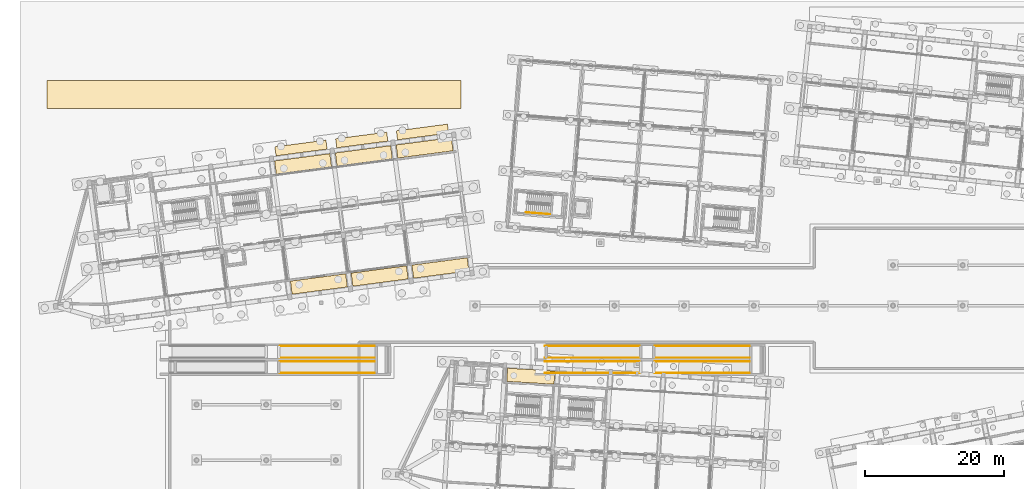
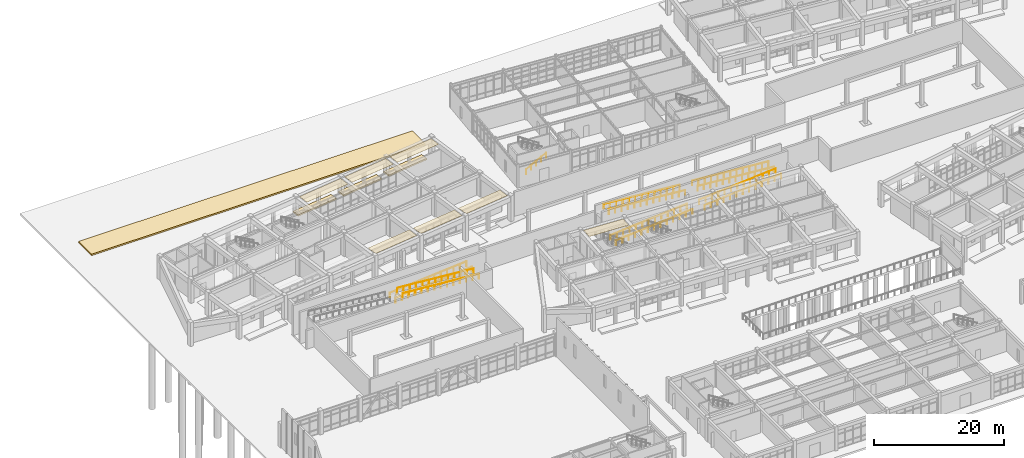
# One storey, part 147 of 154: 13 railings, 11 coverings.
"""IFC4 building model written with IfcOpenShell, lengths in metres."""

import ifcopenshell
import ifcopenshell.guid

model = None  # the IFC model being written
_history = None  # IfcOwnerHistory: only IFC2X3 demands one
_inside = {}  # id of a spatial element -> (the spatial element, [elements in it])
_under = {}  # id of a project, library or spatial element -> (it, [spatial elements below it])
_declared = {}  # id of a project -> (the project, [libraries it declares])
_typed = {}  # id of a type object -> (the type object, [elements of that type])
_made_of = {}  # id of a material, layer set ... -> (it, [elements and type objects made of it])


def new_model(schema):
    """Start an empty IFC model of exactly this schema.

    Asked for "IFC4X3", IfcOpenShell would pick the latest addendum, in which some entities
    have other attributes; the version numbers below select the first issue.
    IFC2X3 requires an IfcOwnerHistory on every rooted entity: one is made here for all.
    """
    global model, _history
    if schema == "IFC4X3":
        model = ifcopenshell.file(schema_version=(4, 3, 0, 0))
    else:
        model = ifcopenshell.file(schema=schema)
    _inside.clear()
    _under.clear()
    _declared.clear()
    _typed.clear()
    _made_of.clear()
    _history = None
    if model.schema == "IFC2X3":
        org = make("IfcOrganization", Name="unknown")
        user = make(
            "IfcPersonAndOrganization",
            ThePerson=make("IfcPerson", FamilyName="unknown"),
            TheOrganization=org,
        )
        app = make(
            "IfcApplication",
            ApplicationDeveloper=org,
            Version="unknown",
            ApplicationFullName="unknown",
            ApplicationIdentifier="unknown",
        )
        _history = make(
            "IfcOwnerHistory",
            OwningUser=user,
            OwningApplication=app,
            ChangeAction="ADDED",
            CreationDate=0,
        )
    return model


def make(cls, **values):
    """One entity of the class cls with the attributes given. An attribute that is None is left unset."""
    return model.create_entity(
        cls, **{name: value for name, value in values.items() if value is not None}
    )


def rooted(cls, **values):
    """An entity with a GlobalId (a new one), such as an element, a storey or a relation."""
    return make(cls, GlobalId=ifcopenshell.guid.new(), OwnerHistory=_history, **values)


def si_unit(unit_type, name, prefix=None):
    """IfcSIUnit, for example si_unit("LENGTHUNIT", "METRE", prefix="MILLI")."""
    return make("IfcSIUnit", UnitType=unit_type, Prefix=prefix, Name=name)


def assignment(units):
    """IfcUnitAssignment: the units of a project."""
    return None if units is None else make("IfcUnitAssignment", Units=units)


def point(xyz):
    """IfcCartesianPoint."""
    return None if xyz is None else make("IfcCartesianPoint", Coordinates=xyz)


def direction(xyz):
    """IfcDirection."""
    return None if xyz is None else make("IfcDirection", DirectionRatios=xyz)


def frame(location, z_axis=None, x_axis=None):
    """IfcAxis2Placement3D, a coordinate frame: its origin and axes. An axis left out is left unset."""
    return make(
        "IfcAxis2Placement3D",
        Location=point(location),
        Axis=direction(z_axis),
        RefDirection=direction(x_axis),
    )


def frame_2d(location, x_axis=None):
    """IfcAxis2Placement2D, a coordinate frame in the plane: its origin and x axis."""
    return make(
        "IfcAxis2Placement2D", Location=point(location), RefDirection=direction(x_axis)
    )


def origin():
    """The frame at (0, 0, 0) with its axes left unset."""
    return frame((0.0, 0.0, 0.0))


def origin_2d():
    """The frame at (0, 0) in the plane with its x axis left unset."""
    return frame_2d((0.0, 0.0))


def place(relative_to, where):
    """IfcLocalPlacement: puts the frame where relative to a parent placement (None: the world)."""
    return make(
        "IfcLocalPlacement", PlacementRelTo=relative_to, RelativePlacement=where
    )


def context(
    kind, dimensions, precision=None, world=None, true_north=None, identifier=None
):
    """IfcGeometricRepresentationContext, for example the 3D "Model" context."""
    return make(
        "IfcGeometricRepresentationContext",
        ContextIdentifier=identifier,
        ContextType=kind,
        CoordinateSpaceDimension=dimensions,
        Precision=precision,
        WorldCoordinateSystem=world,
        TrueNorth=true_north,
    )


def subcontext(parent, identifier, kind, view, scale=None):
    """IfcGeometricRepresentationSubContext, for example "Body" below "Model"."""
    return make(
        "IfcGeometricRepresentationSubContext",
        ContextIdentifier=identifier,
        ContextType=kind,
        ParentContext=parent,
        TargetScale=scale,
        TargetView=view,
    )


def project(units=None, contexts=None):
    """IfcProject with its units and contexts."""
    return rooted(
        "IfcProject",
        Name="project",
        RepresentationContexts=contexts,
        UnitsInContext=assignment(units),
    )


def spatial(cls, under=None, at=None, **own):
    """A site, building, storey or space (cls), placed at a placement, below another one or the project."""
    s = rooted(cls, ObjectPlacement=at, **own)
    if under is not None:
        _under.setdefault(under.id(), (under, []))[1].append(s)
    return s


def polyline(points):
    """IfcPolyline through the points."""
    return make("IfcPolyline", Points=[point(p) for p in points])


def profile(cls, at=None, kind="AREA", **sizes):
    """A parametric profile (cls). Its sizes go by their IFC names, for example OverallWidth=200.0."""
    return make(cls, ProfileType=kind, Position=at, **sizes)


def rectangle(**sizes):
    """IfcRectangleProfileDef."""
    return profile("IfcRectangleProfileDef", **sizes)


def circle(**sizes):
    """IfcCircleProfileDef."""
    return profile("IfcCircleProfileDef", **sizes)


def outline(outer, holes=None, kind="AREA"):
    """IfcArbitraryClosedProfileDef: a profile drawn as a closed curve; with holes, ...WithVoids."""
    if holes is None:
        return make("IfcArbitraryClosedProfileDef", ProfileType=kind, OuterCurve=outer)
    return make(
        "IfcArbitraryProfileDefWithVoids",
        ProfileType=kind,
        OuterCurve=outer,
        InnerCurves=holes,
    )


def extrude(swept, where, along, depth):
    """IfcExtrudedAreaSolid: the profile swept, set in the frame where, extruded along a direction by depth."""
    return make(
        "IfcExtrudedAreaSolid",
        SweptArea=swept,
        Position=where,
        ExtrudedDirection=direction(along),
        Depth=depth,
    )


def shape(context_of_items, identifier, shape_type, items):
    """IfcShapeRepresentation: the items that make up one representation, for example the "Body"."""
    return make(
        "IfcShapeRepresentation",
        ContextOfItems=context_of_items,
        RepresentationIdentifier=identifier,
        RepresentationType=shape_type,
        Items=items,
    )


def material(Name=None, Category=None):
    """IfcMaterial."""
    return make("IfcMaterial", Name=Name, Category=Category)


def layer(
    of_material, thickness, ventilated=None, Name=None, Category=None, Priority=None
):
    """IfcMaterialLayer: one layer of a wall or slab, of a material (None: an air gap)."""
    return make(
        "IfcMaterialLayer",
        Material=of_material,
        LayerThickness=thickness,
        IsVentilated=ventilated,
        Name=Name,
        Category=Category,
        Priority=Priority,
    )


def layer_set(layers, Name=None):
    """IfcMaterialLayerSet."""
    return make("IfcMaterialLayerSet", MaterialLayers=layers, LayerSetName=Name)


def made_of(thing, what):
    """Note that an element or type object is made of a material, layer set ...; save() writes the relation."""
    if what is not None:
        _made_of.setdefault(what.id(), (what, []))[1].append(thing)
    return thing


def type_object(cls, material=None, **own):
    """A type object (cls), such as IfcWallType, which elements share."""
    return made_of(rooted(cls, **own), material)


def element(
    cls,
    number,
    at=None,
    inside=None,
    cuts=None,
    type_object=None,
    material=None,
    context=None,
    identifier="Body",
    shape_type=None,
    held_by="IfcProductDefinitionShape",
    body=None,
    shapes=None,
    **own,
):
    """One element of the class cls, such as IfcWall. Its Tag is "e" and its number.

    at: its placement. inside: the storey or other place that contains it. cuts: it is an
    opening in that element (IfcRelVoidsElement). A single representation is given by context,
    identifier, shape_type and body (its items); several are given by shapes. held_by: the class
    of the entity that holds the representations. save() writes the other relations.
    """
    e = rooted(cls, Tag="e%d" % number, ObjectPlacement=at, **own)
    if body is not None:
        shapes = [shape(context, identifier, shape_type, body)]
    if shapes is not None:
        e.Representation = make(held_by, Representations=shapes)
    if inside is not None:
        _inside.setdefault(inside.id(), (inside, []))[1].append(e)
    if cuts is not None:
        rooted(
            "IfcRelVoidsElement", RelatingBuildingElement=cuts, RelatedOpeningElement=e
        )
    if type_object is not None:
        _typed.setdefault(type_object.id(), (type_object, []))[1].append(e)
    return made_of(e, material)


def aggregate(whole, parts):
    """IfcRelAggregates: a whole, such as a stair, and the parts it consists of."""
    return rooted("IfcRelAggregates", RelatingObject=whole, RelatedObjects=parts)


def save(model, path):
    """Write the relations noted so far, then the file.

    IfcRelAggregates (storeys below a building ...), IfcRelContainedInSpatialStructure (elements
    in a storey), IfcRelDefinesByType, IfcRelAssociatesMaterial and IfcRelDeclares: one each for
    every whole, place, type object, material and project.
    """
    for whole, parts in _under.values():
        aggregate(whole, parts)
    for where, things in _inside.values():
        rooted(
            "IfcRelContainedInSpatialStructure",
            RelatedElements=things,
            RelatingStructure=where,
        )
    for kind, things in _typed.values():
        rooted("IfcRelDefinesByType", RelatedObjects=things, RelatingType=kind)
    for what, things in _made_of.values():
        rooted("IfcRelAssociatesMaterial", RelatedObjects=things, RelatingMaterial=what)
    for by, libraries in _declared.values():
        rooted("IfcRelDeclares", RelatingContext=by, RelatedDefinitions=libraries)
    model.write(path)


model = new_model("IFC4")

# Units and contexts
model_context = context("Model", 3, precision=1e-05, world=origin(), true_north=direction((0.0, 1.0)))
body_context = subcontext(model_context, "Body", "Model", "MODEL_VIEW")
ifc_project = project(units=[si_unit("LENGTHUNIT", "METRE"), si_unit("AREAUNIT", "SQUARE_METRE"), si_unit("VOLUMEUNIT", "CUBIC_METRE"), si_unit("PLANEANGLEUNIT", "RADIAN"), si_unit("MASSUNIT", "GRAM", prefix="KILO")], contexts=[model_context])

# Site, building, storey
site_placement = place(None, origin())
site = spatial("IfcSite", under=ifc_project, at=site_placement, CompositionType="ELEMENT")
building_placement = place(site_placement, origin())
building = spatial("IfcBuilding", under=site, at=building_placement, Name="Kestramere Prow Commons", CompositionType="ELEMENT")
storey_placement = place(building_placement, origin())
storey = spatial("IfcBuildingStorey", under=building, at=storey_placement, Name="L00", CompositionType="ELEMENT", Elevation=0.0)

# Coverings
ifc_material_1 = material(Name="Planted Tropical Rain-Garden Soil and Foliage")
ifc_layer_1 = layer(ifc_material_1, 0.280029296875)
ifc_layer_set_1 = layer_set([ifc_layer_1], Name="Planted Tropical Rain-Garden Soil and Foliage")
covering_type_1 = type_object("IfcCoveringType", Name="COV-PLANT-STRIP", PredefinedType="USERDEFINED", material=ifc_layer_set_1)
covering_1_placement = place(storey_placement, origin())
element("IfcCovering", 1, at=covering_1_placement, inside=storey, type_object=covering_type_1, Name="Street Setback Planted Landscape Strip PLST-A-N-3", ObjectType="PLANTED STRIP", PredefinedType="USERDEFINED", context=body_context, shape_type="SweptSolid", body=[
    extrude(outline(polyline([(35.2421875, 97.001953125), (42.5791015625, 97.968017578125), (42.74853515625, 96.67919921875), (35.411865234375, 95.713134765625), (35.2421875, 97.001953125)])), origin(), (0.0, 0.0, 1.0), 0.280029296875),
])
covering_2_placement = place(storey_placement, origin())
element("IfcCovering", 2, at=covering_2_placement, inside=storey, type_object=covering_type_1, Name="Street Setback Planted Landscape Strip PLST-A-N-4", ObjectType="PLANTED STRIP", PredefinedType="USERDEFINED", context=body_context, shape_type="SweptSolid", body=[
    extrude(outline(polyline([(43.967041015625, 98.150634765625), (51.3037109375, 99.11669921875), (51.473388671875, 97.82763671875), (44.13671875, 96.86181640625), (43.967041015625, 98.150634765625)])), origin(), (0.0, 0.0, 1.0), 0.280029296875),
])
covering_3_placement = place(storey_placement, origin())
element("IfcCovering", 3, at=covering_3_placement, inside=storey, type_object=covering_type_1, Name="Street Setback Planted Landscape Strip PLST-A-N-5", ObjectType="PLANTED STRIP", PredefinedType="USERDEFINED", context=body_context, shape_type="SweptSolid", body=[
    extrude(outline(polyline([(52.691650390625, 99.29931640625), (60.0283203125, 100.26513671875), (60.197998046875, 98.976318359375), (52.861328125, 98.010498046875), (52.691650390625, 99.29931640625)])), origin(), (0.0, 0.0, 1.0), 0.280029296875),
])
covering_4_placement = place(storey_placement, origin())
element("IfcCovering", 4, at=covering_4_placement, inside=storey, type_object=covering_type_1, Name="Street Setback Planted Landscape Strip PLST-ST-NW", ObjectType="PLANTED STRIP", PredefinedType="USERDEFINED", context=body_context, shape_type="SweptSolid", body=[
    extrude(outline(polyline([(2.5, 102.5), (2.5, 106.5), (62.0, 106.5), (62.0, 102.5), (2.5, 102.5)])), origin(), (0.0, 0.0, 1.0), 0.280029296875),
])
ifc_material_2 = material(Name="Perforated Aluminium Colonnade Soffit Cladding", Category="aluminium")
ifc_layer_2 = layer(ifc_material_2, 0.030029296875)
ifc_layer_set_2 = layer_set([ifc_layer_2], Name="Perforated Aluminium Colonnade Soffit Cladding")
covering_type_2 = type_object("IfcCoveringType", Name="COV-SOFFIT-ALU", PredefinedType="CLADDING", material=ifc_layer_set_2)
for number, where, z_axis, x_axis, name in (
    (5, (41.56689453125, 77.30908203125, 4.22021484375), (0.0, 0.0, 1.0), (0.991444861374, 0.13052619222, 0.0), "Block A South Colonnade Soffit Panel 4"),
    (6, (39.295654296875, 94.560302734375, 4.22021484375), (0.0, 0.0, 1.0), (0.991444861374, 0.13052619222, 0.0), "Block A North Colonnade Soffit Panel 4"),
    (7, (50.29150390625, 78.457763671875, 4.22021484375), (0.0, 0.0, 1.0), (0.991444861374, 0.13052619222, 0.0), "Block A South Colonnade Soffit Panel 5"),
    (8, (48.020263671875, 95.708740234375, 4.22021484375), (0.0, 0.0, 1.0), (0.991444861374, 0.13052619222, 0.0), "Block A North Colonnade Soffit Panel 5"),
    (9, (59.016357421875, 79.6064453125, 4.22021484375), (0.0, 0.0, 1.0), (0.991444861374, 0.13052619222, 0.0), "Block A South Colonnade Soffit Panel 6"),
    (10, (56.7451171875, 96.857421875, 4.22021484375), (0.0, 0.0, 1.0), (0.991444861374, 0.13052619222, 0.0), "Block A North Colonnade Soffit Panel 6"),
):
    element("IfcCovering", number, at=place(storey_placement, frame(where, z_axis=z_axis, x_axis=x_axis)), inside=storey, type_object=covering_type_2, Name=name, PredefinedType="CLADDING", context=body_context, shape_type="SweptSolid", body=[
        extrude(rectangle(XDim=8.0, YDim=1.89990234375, at=origin_2d()), origin(), (0.0, 0.0, 1.0), 0.030029296875),
    ])
covering_5_placement = place(storey_placement, frame((71.995849609375, 64.06982421875, 4.22021484375), z_axis=(0.0, 0.0, 1.0), x_axis=(0.998134798422, -0.061048539535, 0.0)))
element("IfcCovering", 11, at=covering_5_placement, inside=storey, type_object=covering_type_2, Name="Block C North Colonnade Soffit Panel 2", PredefinedType="CLADDING", context=body_context, shape_type="SweptSolid", body=[
    extrude(rectangle(XDim=6.800048828125, YDim=1.89990234375, at=origin_2d()), origin(), (0.0, 0.0, 1.0), 0.030029296875),
])

# Railings
ifc_material_3 = material(Name="Stainless Steel Grade 316", Category="steel")
railing_type_1 = type_object("IfcRailingType", Name="HR-EXT-900", PredefinedType="HANDRAIL", material=ifc_material_3)
railing_1_placement = place(storey_placement, frame((36.0, 66.7099609375, 1.125)))
element("IfcRailing", 12, at=railing_1_placement, inside=storey, type_object=railing_type_1, Name="Ramp R2 Upper Handrail L", PredefinedType="HANDRAIL", context=body_context, shape_type="SweptSolid", body=[
    extrude(circle(Radius=0.02392578125, at=origin_2d()), frame((0.0, 0.0, 0.8759765625), z_axis=(0.99659615968, 0.0, 0.082438428604), x_axis=(0.0, 1.0, 0.0)), (0.0, 0.0, 1.0), 13.646484375),
    extrude(circle(Radius=0.02099609375, at=origin_2d()), origin(), (0.0, 0.0, 1.0), 0.851806640625),
    extrude(circle(Radius=0.02099609375, at=origin_2d()), frame((1.13330078125, 0.0, 0.09375)), (0.0, 0.0, 1.0), 0.851806640625),
    extrude(circle(Radius=0.02099609375, at=origin_2d()), frame((2.2666015625, 0.0, 0.1875)), (0.0, 0.0, 1.0), 0.851806640625),
    extrude(circle(Radius=0.02099609375, at=origin_2d()), frame((3.39990234375, 0.0, 0.28125)), (0.0, 0.0, 1.0), 0.851806640625),
    extrude(circle(Radius=0.02099609375, at=origin_2d()), frame((4.533447265625, 0.0, 0.375)), (0.0, 0.0, 1.0), 0.851806640625),
    extrude(circle(Radius=0.02099609375, at=origin_2d()), frame((5.666748046875, 0.0, 0.46875)), (0.0, 0.0, 1.0), 0.851806640625),
    extrude(circle(Radius=0.02099609375, at=origin_2d()), frame((6.800048828125, 0.0, 0.5625)), (0.0, 0.0, 1.0), 0.851806640625),
    extrude(circle(Radius=0.02099609375, at=origin_2d()), frame((7.933349609375, 0.0, 0.65625)), (0.0, 0.0, 1.0), 0.851806640625),
    extrude(circle(Radius=0.02099609375, at=origin_2d()), frame((9.066650390625, 0.0, 0.75)), (0.0, 0.0, 1.0), 0.851806640625),
    extrude(circle(Radius=0.02099609375, at=origin_2d()), frame((10.2001953125, 0.0, 0.84375)), (0.0, 0.0, 1.0), 0.851806640625),
    extrude(circle(Radius=0.02099609375, at=origin_2d()), frame((11.33349609375, 0.0, 0.9375)), (0.0, 0.0, 1.0), 0.851806640625),
    extrude(circle(Radius=0.02099609375, at=origin_2d()), frame((12.466796875, 0.0, 1.03125)), (0.0, 0.0, 1.0), 0.851806640625),
    extrude(circle(Radius=0.02099609375, at=origin_2d()), frame((13.60009765625, 0.0, 1.125)), (0.0, 0.0, 1.0), 0.851806640625),
])
railing_2_placement = place(storey_placement, frame((49.60009765625, 64.510009765625, 2.25)))
element("IfcRailing", 13, at=railing_2_placement, inside=storey, type_object=railing_type_1, Name="Ramp R3 Lower Handrail L", PredefinedType="HANDRAIL", context=body_context, shape_type="SweptSolid", body=[
    extrude(circle(Radius=0.02392578125, at=origin_2d()), frame((0.0, 0.0, 0.8759765625), z_axis=(-0.99659615968, 0.0, 0.082438428604), x_axis=(0.0, -1.0, 0.0)), (0.0, 0.0, 1.0), 13.646484375),
    extrude(circle(Radius=0.02099609375, at=origin_2d()), origin(), (0.0, 0.0, 1.0), 0.851806640625),
    extrude(circle(Radius=0.02099609375, at=origin_2d()), frame((-1.13330078125, 0.0, 0.09375)), (0.0, 0.0, 1.0), 0.851806640625),
    extrude(circle(Radius=0.02099609375, at=origin_2d()), frame((-2.2666015625, 0.0, 0.1875)), (0.0, 0.0, 1.0), 0.851806640625),
    extrude(circle(Radius=0.02099609375, at=origin_2d()), frame((-3.39990234375, 0.0, 0.28125)), (0.0, 0.0, 1.0), 0.851806640625),
    extrude(circle(Radius=0.02099609375, at=origin_2d()), frame((-4.533447265625, 0.0, 0.375)), (0.0, 0.0, 1.0), 0.851806640625),
    extrude(circle(Radius=0.02099609375, at=origin_2d()), frame((-5.666748046875, 0.0, 0.46875)), (0.0, 0.0, 1.0), 0.851806640625),
    extrude(circle(Radius=0.02099609375, at=origin_2d()), frame((-6.800048828125, 0.0, 0.5625)), (0.0, 0.0, 1.0), 0.851806640625),
    extrude(circle(Radius=0.02099609375, at=origin_2d()), frame((-7.933349609375, 0.0, 0.65625)), (0.0, 0.0, 1.0), 0.851806640625),
    extrude(circle(Radius=0.02099609375, at=origin_2d()), frame((-9.066650390625, 0.0, 0.75)), (0.0, 0.0, 1.0), 0.851806640625),
    extrude(circle(Radius=0.02099609375, at=origin_2d()), frame((-10.2001953125, 0.0, 0.84375)), (0.0, 0.0, 1.0), 0.851806640625),
    extrude(circle(Radius=0.02099609375, at=origin_2d()), frame((-11.33349609375, 0.0, 0.9375)), (0.0, 0.0, 1.0), 0.851806640625),
    extrude(circle(Radius=0.02099609375, at=origin_2d()), frame((-12.466796875, 0.0, 1.03125)), (0.0, 0.0, 1.0), 0.851806640625),
    extrude(circle(Radius=0.02099609375, at=origin_2d()), frame((-13.60009765625, 0.0, 1.125)), (0.0, 0.0, 1.0), 0.851806640625),
])
railing_3_placement = place(storey_placement, frame((36.0, 68.389892578125, 1.125)))
element("IfcRailing", 14, at=railing_3_placement, inside=storey, type_object=railing_type_1, Name="Ramp R2 Upper Handrail R", PredefinedType="HANDRAIL", context=body_context, shape_type="SweptSolid", body=[
    extrude(circle(Radius=0.02392578125, at=origin_2d()), frame((0.0, 0.0, 0.8759765625), z_axis=(0.99659615968, 0.0, 0.082438428604), x_axis=(0.0, 1.0, 0.0)), (0.0, 0.0, 1.0), 13.646484375),
    extrude(circle(Radius=0.02099609375, at=origin_2d()), origin(), (0.0, 0.0, 1.0), 0.851806640625),
    extrude(circle(Radius=0.02099609375, at=origin_2d()), frame((1.13330078125, 0.0, 0.09375)), (0.0, 0.0, 1.0), 0.851806640625),
    extrude(circle(Radius=0.02099609375, at=origin_2d()), frame((2.2666015625, 0.0, 0.1875)), (0.0, 0.0, 1.0), 0.851806640625),
    extrude(circle(Radius=0.02099609375, at=origin_2d()), frame((3.39990234375, 0.0, 0.28125)), (0.0, 0.0, 1.0), 0.851806640625),
    extrude(circle(Radius=0.02099609375, at=origin_2d()), frame((4.533447265625, 0.0, 0.375)), (0.0, 0.0, 1.0), 0.851806640625),
    extrude(circle(Radius=0.02099609375, at=origin_2d()), frame((5.666748046875, 0.0, 0.46875)), (0.0, 0.0, 1.0), 0.851806640625),
    extrude(circle(Radius=0.02099609375, at=origin_2d()), frame((6.800048828125, 0.0, 0.5625)), (0.0, 0.0, 1.0), 0.851806640625),
    extrude(circle(Radius=0.02099609375, at=origin_2d()), frame((7.933349609375, 0.0, 0.65625)), (0.0, 0.0, 1.0), 0.851806640625),
    extrude(circle(Radius=0.02099609375, at=origin_2d()), frame((9.066650390625, 0.0, 0.75)), (0.0, 0.0, 1.0), 0.851806640625),
    extrude(circle(Radius=0.02099609375, at=origin_2d()), frame((10.2001953125, 0.0, 0.84375)), (0.0, 0.0, 1.0), 0.851806640625),
    extrude(circle(Radius=0.02099609375, at=origin_2d()), frame((11.33349609375, 0.0, 0.9375)), (0.0, 0.0, 1.0), 0.851806640625),
    extrude(circle(Radius=0.02099609375, at=origin_2d()), frame((12.466796875, 0.0, 1.03125)), (0.0, 0.0, 1.0), 0.851806640625),
    extrude(circle(Radius=0.02099609375, at=origin_2d()), frame((13.60009765625, 0.0, 1.125)), (0.0, 0.0, 1.0), 0.851806640625),
])
railing_4_placement = place(storey_placement, frame((49.60009765625, 66.18994140625, 2.25)))
element("IfcRailing", 15, at=railing_4_placement, inside=storey, type_object=railing_type_1, Name="Ramp R3 Lower Handrail R", PredefinedType="HANDRAIL", context=body_context, shape_type="SweptSolid", body=[
    extrude(circle(Radius=0.02392578125, at=origin_2d()), frame((0.0, 0.0, 0.8759765625), z_axis=(-0.99659615968, 0.0, 0.082438428604), x_axis=(0.0, -1.0, 0.0)), (0.0, 0.0, 1.0), 13.646484375),
    extrude(circle(Radius=0.02099609375, at=origin_2d()), origin(), (0.0, 0.0, 1.0), 0.851806640625),
    extrude(circle(Radius=0.02099609375, at=origin_2d()), frame((-1.13330078125, 0.0, 0.09375)), (0.0, 0.0, 1.0), 0.851806640625),
    extrude(circle(Radius=0.02099609375, at=origin_2d()), frame((-2.2666015625, 0.0, 0.1875)), (0.0, 0.0, 1.0), 0.851806640625),
    extrude(circle(Radius=0.02099609375, at=origin_2d()), frame((-3.39990234375, 0.0, 0.28125)), (0.0, 0.0, 1.0), 0.851806640625),
    extrude(circle(Radius=0.02099609375, at=origin_2d()), frame((-4.533447265625, 0.0, 0.375)), (0.0, 0.0, 1.0), 0.851806640625),
    extrude(circle(Radius=0.02099609375, at=origin_2d()), frame((-5.666748046875, 0.0, 0.46875)), (0.0, 0.0, 1.0), 0.851806640625),
    extrude(circle(Radius=0.02099609375, at=origin_2d()), frame((-6.800048828125, 0.0, 0.5625)), (0.0, 0.0, 1.0), 0.851806640625),
    extrude(circle(Radius=0.02099609375, at=origin_2d()), frame((-7.933349609375, 0.0, 0.65625)), (0.0, 0.0, 1.0), 0.851806640625),
    extrude(circle(Radius=0.02099609375, at=origin_2d()), frame((-9.066650390625, 0.0, 0.75)), (0.0, 0.0, 1.0), 0.851806640625),
    extrude(circle(Radius=0.02099609375, at=origin_2d()), frame((-10.2001953125, 0.0, 0.84375)), (0.0, 0.0, 1.0), 0.851806640625),
    extrude(circle(Radius=0.02099609375, at=origin_2d()), frame((-11.33349609375, 0.0, 0.9375)), (0.0, 0.0, 1.0), 0.851806640625),
    extrude(circle(Radius=0.02099609375, at=origin_2d()), frame((-12.466796875, 0.0, 1.03125)), (0.0, 0.0, 1.0), 0.851806640625),
    extrude(circle(Radius=0.02099609375, at=origin_2d()), frame((-13.60009765625, 0.0, 1.125)), (0.0, 0.0, 1.0), 0.851806640625),
])
railing_5_placement = place(storey_placement, frame((74.0, 64.510009765625, 0.0)))
element("IfcRailing", 16, at=railing_5_placement, inside=storey, type_object=railing_type_1, Name="Ramp R4 Lower Handrail L", PredefinedType="HANDRAIL", context=body_context, shape_type="SweptSolid", body=[
    extrude(circle(Radius=0.02392578125, at=origin_2d()), frame((0.0, 0.0, 0.8759765625), z_axis=(0.99659615968, 0.0, 0.082438428604), x_axis=(0.0, 1.0, 0.0)), (0.0, 0.0, 1.0), 13.646484375),
    extrude(circle(Radius=0.02099609375, at=origin_2d()), origin(), (0.0, 0.0, 1.0), 0.851806640625),
    extrude(circle(Radius=0.02099609375, at=origin_2d()), frame((1.13330078125, 0.0, 0.09375)), (0.0, 0.0, 1.0), 0.851806640625),
    extrude(circle(Radius=0.02099609375, at=origin_2d()), frame((2.2666015625, 0.0, 0.1875)), (0.0, 0.0, 1.0), 0.851806640625),
    extrude(circle(Radius=0.02099609375, at=origin_2d()), frame((3.39990234375, 0.0, 0.28125)), (0.0, 0.0, 1.0), 0.851806640625),
    extrude(circle(Radius=0.02099609375, at=origin_2d()), frame((4.533447265625, 0.0, 0.375)), (0.0, 0.0, 1.0), 0.851806640625),
    extrude(circle(Radius=0.02099609375, at=origin_2d()), frame((5.666748046875, 0.0, 0.46875)), (0.0, 0.0, 1.0), 0.851806640625),
    extrude(circle(Radius=0.02099609375, at=origin_2d()), frame((6.800048828125, 0.0, 0.5625)), (0.0, 0.0, 1.0), 0.851806640625),
    extrude(circle(Radius=0.02099609375, at=origin_2d()), frame((7.933349609375, 0.0, 0.65625)), (0.0, 0.0, 1.0), 0.851806640625),
    extrude(circle(Radius=0.02099609375, at=origin_2d()), frame((9.066650390625, 0.0, 0.75)), (0.0, 0.0, 1.0), 0.851806640625),
    extrude(circle(Radius=0.02099609375, at=origin_2d()), frame((10.2001953125, 0.0, 0.84375)), (0.0, 0.0, 1.0), 0.851806640625),
    extrude(circle(Radius=0.02099609375, at=origin_2d()), frame((11.33349609375, 0.0, 0.9375)), (0.0, 0.0, 1.0), 0.851806640625),
    extrude(circle(Radius=0.02099609375, at=origin_2d()), frame((12.466796875, 0.0, 1.03125)), (0.0, 0.0, 1.0), 0.851806640625),
    extrude(circle(Radius=0.02099609375, at=origin_2d()), frame((13.60009765625, 0.0, 1.125)), (0.0, 0.0, 1.0), 0.851806640625),
])
railing_6_placement = place(storey_placement, frame((89.800048828125, 64.510009765625, 1.125)))
element("IfcRailing", 17, at=railing_6_placement, inside=storey, type_object=railing_type_1, Name="Ramp R4 Upper Handrail L", PredefinedType="HANDRAIL", context=body_context, shape_type="SweptSolid", body=[
    extrude(circle(Radius=0.02392578125, at=origin_2d()), frame((0.0, 0.0, 0.8759765625), z_axis=(0.996596038093, 0.0, 0.082439898457), x_axis=(0.0, 1.0, 0.0)), (0.0, 0.0, 1.0), 13.646240234375),
    extrude(circle(Radius=0.02099609375, at=origin_2d()), origin(), (0.0, 0.0, 1.0), 0.851806640625),
    extrude(circle(Radius=0.02099609375, at=origin_2d()), frame((1.13330078125, 0.0, 0.09375)), (0.0, 0.0, 1.0), 0.851806640625),
    extrude(circle(Radius=0.02099609375, at=origin_2d()), frame((2.2666015625, 0.0, 0.1875)), (0.0, 0.0, 1.0), 0.851806640625),
    extrude(circle(Radius=0.02099609375, at=origin_2d()), frame((3.39990234375, 0.0, 0.28125)), (0.0, 0.0, 1.0), 0.851806640625),
    extrude(circle(Radius=0.02099609375, at=origin_2d()), frame((4.533203125, 0.0, 0.375)), (0.0, 0.0, 1.0), 0.851806640625),
    extrude(circle(Radius=0.02099609375, at=origin_2d()), frame((5.66650390625, 0.0, 0.46875)), (0.0, 0.0, 1.0), 0.851806640625),
    extrude(circle(Radius=0.02099609375, at=origin_2d()), frame((6.7998046875, 0.0, 0.5625)), (0.0, 0.0, 1.0), 0.851806640625),
    extrude(circle(Radius=0.02099609375, at=origin_2d()), frame((7.933349609375, 0.0, 0.65625)), (0.0, 0.0, 1.0), 0.851806640625),
    extrude(circle(Radius=0.02099609375, at=origin_2d()), frame((9.066650390625, 0.0, 0.75)), (0.0, 0.0, 1.0), 0.851806640625),
    extrude(circle(Radius=0.02099609375, at=origin_2d()), frame((10.199951171875, 0.0, 0.84375)), (0.0, 0.0, 1.0), 0.851806640625),
    extrude(circle(Radius=0.02099609375, at=origin_2d()), frame((11.333251953125, 0.0, 0.9375)), (0.0, 0.0, 1.0), 0.851806640625),
    extrude(circle(Radius=0.02099609375, at=origin_2d()), frame((12.466552734375, 0.0, 1.03125)), (0.0, 0.0, 1.0), 0.851806640625),
    extrude(circle(Radius=0.02099609375, at=origin_2d()), frame((13.599853515625, 0.0, 1.125)), (0.0, 0.0, 1.0), 0.851806640625),
])
railing_7_placement = place(storey_placement, frame((103.39990234375, 66.7099609375, 2.25)))
element("IfcRailing", 18, at=railing_7_placement, inside=storey, type_object=railing_type_1, Name="Ramp R5 Lower Handrail L", PredefinedType="HANDRAIL", context=body_context, shape_type="SweptSolid", body=[
    extrude(circle(Radius=0.02392578125, at=origin_2d()), frame((0.0, 0.0, 0.8759765625), z_axis=(-0.996596038093, 0.0, 0.082439898457), x_axis=(0.0, -1.0, 0.0)), (0.0, 0.0, 1.0), 13.646240234375),
    extrude(circle(Radius=0.02099609375, at=origin_2d()), origin(), (0.0, 0.0, 1.0), 0.851806640625),
    extrude(circle(Radius=0.02099609375, at=origin_2d()), frame((-1.13330078125, 0.0, 0.09375)), (0.0, 0.0, 1.0), 0.851806640625),
    extrude(circle(Radius=0.02099609375, at=origin_2d()), frame((-2.2666015625, 0.0, 0.1875)), (0.0, 0.0, 1.0), 0.851806640625),
    extrude(circle(Radius=0.02099609375, at=origin_2d()), frame((-3.39990234375, 0.0, 0.28125)), (0.0, 0.0, 1.0), 0.851806640625),
    extrude(circle(Radius=0.02099609375, at=origin_2d()), frame((-4.533203125, 0.0, 0.375)), (0.0, 0.0, 1.0), 0.851806640625),
    extrude(circle(Radius=0.02099609375, at=origin_2d()), frame((-5.66650390625, 0.0, 0.46875)), (0.0, 0.0, 1.0), 0.851806640625),
    extrude(circle(Radius=0.02099609375, at=origin_2d()), frame((-6.7998046875, 0.0, 0.5625)), (0.0, 0.0, 1.0), 0.851806640625),
    extrude(circle(Radius=0.02099609375, at=origin_2d()), frame((-7.933349609375, 0.0, 0.65625)), (0.0, 0.0, 1.0), 0.851806640625),
    extrude(circle(Radius=0.02099609375, at=origin_2d()), frame((-9.066650390625, 0.0, 0.75)), (0.0, 0.0, 1.0), 0.851806640625),
    extrude(circle(Radius=0.02099609375, at=origin_2d()), frame((-10.199951171875, 0.0, 0.84375)), (0.0, 0.0, 1.0), 0.851806640625),
    extrude(circle(Radius=0.02099609375, at=origin_2d()), frame((-11.333251953125, 0.0, 0.9375)), (0.0, 0.0, 1.0), 0.851806640625),
    extrude(circle(Radius=0.02099609375, at=origin_2d()), frame((-12.466552734375, 0.0, 1.03125)), (0.0, 0.0, 1.0), 0.851806640625),
    extrude(circle(Radius=0.02099609375, at=origin_2d()), frame((-13.599853515625, 0.0, 1.125)), (0.0, 0.0, 1.0), 0.851806640625),
])
railing_8_placement = place(storey_placement, frame((87.60009765625, 66.7099609375, 3.375)))
element("IfcRailing", 19, at=railing_8_placement, inside=storey, type_object=railing_type_1, Name="Ramp R5 Upper Handrail L", PredefinedType="HANDRAIL", context=body_context, shape_type="SweptSolid", body=[
    extrude(circle(Radius=0.02392578125, at=origin_2d()), frame((0.0, 0.0, 0.8759765625), z_axis=(-0.99659615968, 0.0, 0.082438428604), x_axis=(0.0, -1.0, 0.0)), (0.0, 0.0, 1.0), 13.646484375),
    extrude(circle(Radius=0.02099609375, at=origin_2d()), origin(), (0.0, 0.0, 1.0), 0.851806640625),
    extrude(circle(Radius=0.02099609375, at=origin_2d()), frame((-1.13330078125, 0.0, 0.09375)), (0.0, 0.0, 1.0), 0.851806640625),
    extrude(circle(Radius=0.02099609375, at=origin_2d()), frame((-2.2666015625, 0.0, 0.1875)), (0.0, 0.0, 1.0), 0.851806640625),
    extrude(circle(Radius=0.02099609375, at=origin_2d()), frame((-3.39990234375, 0.0, 0.28125)), (0.0, 0.0, 1.0), 0.851806640625),
    extrude(circle(Radius=0.02099609375, at=origin_2d()), frame((-4.533447265625, 0.0, 0.375)), (0.0, 0.0, 1.0), 0.851806640625),
    extrude(circle(Radius=0.02099609375, at=origin_2d()), frame((-5.666748046875, 0.0, 0.46875)), (0.0, 0.0, 1.0), 0.851806640625),
    extrude(circle(Radius=0.02099609375, at=origin_2d()), frame((-6.800048828125, 0.0, 0.5625)), (0.0, 0.0, 1.0), 0.851806640625),
    extrude(circle(Radius=0.02099609375, at=origin_2d()), frame((-7.933349609375, 0.0, 0.65625)), (0.0, 0.0, 1.0), 0.851806640625),
    extrude(circle(Radius=0.02099609375, at=origin_2d()), frame((-9.066650390625, 0.0, 0.75)), (0.0, 0.0, 1.0), 0.851806640625),
    extrude(circle(Radius=0.02099609375, at=origin_2d()), frame((-10.2001953125, 0.0, 0.84375)), (0.0, 0.0, 1.0), 0.851806640625),
    extrude(circle(Radius=0.02099609375, at=origin_2d()), frame((-11.33349609375, 0.0, 0.9375)), (0.0, 0.0, 1.0), 0.851806640625),
    extrude(circle(Radius=0.02099609375, at=origin_2d()), frame((-12.466796875, 0.0, 1.03125)), (0.0, 0.0, 1.0), 0.851806640625),
    extrude(circle(Radius=0.02099609375, at=origin_2d()), frame((-13.60009765625, 0.0, 1.125)), (0.0, 0.0, 1.0), 0.851806640625),
])
railing_9_placement = place(storey_placement, frame((74.0, 66.18994140625, 0.0)))
element("IfcRailing", 20, at=railing_9_placement, inside=storey, type_object=railing_type_1, Name="Ramp R4 Lower Handrail R", PredefinedType="HANDRAIL", context=body_context, shape_type="SweptSolid", body=[
    extrude(circle(Radius=0.02392578125, at=origin_2d()), frame((0.0, 0.0, 0.8759765625), z_axis=(0.99659615968, 0.0, 0.082438428604), x_axis=(0.0, 1.0, 0.0)), (0.0, 0.0, 1.0), 13.646484375),
    extrude(circle(Radius=0.02099609375, at=origin_2d()), origin(), (0.0, 0.0, 1.0), 0.851806640625),
    extrude(circle(Radius=0.02099609375, at=origin_2d()), frame((1.13330078125, 0.0, 0.09375)), (0.0, 0.0, 1.0), 0.851806640625),
    extrude(circle(Radius=0.02099609375, at=origin_2d()), frame((2.2666015625, 0.0, 0.1875)), (0.0, 0.0, 1.0), 0.851806640625),
    extrude(circle(Radius=0.02099609375, at=origin_2d()), frame((3.39990234375, 0.0, 0.28125)), (0.0, 0.0, 1.0), 0.851806640625),
    extrude(circle(Radius=0.02099609375, at=origin_2d()), frame((4.533447265625, 0.0, 0.375)), (0.0, 0.0, 1.0), 0.851806640625),
    extrude(circle(Radius=0.02099609375, at=origin_2d()), frame((5.666748046875, 0.0, 0.46875)), (0.0, 0.0, 1.0), 0.851806640625),
    extrude(circle(Radius=0.02099609375, at=origin_2d()), frame((6.800048828125, 0.0, 0.5625)), (0.0, 0.0, 1.0), 0.851806640625),
    extrude(circle(Radius=0.02099609375, at=origin_2d()), frame((7.933349609375, 0.0, 0.65625)), (0.0, 0.0, 1.0), 0.851806640625),
    extrude(circle(Radius=0.02099609375, at=origin_2d()), frame((9.066650390625, 0.0, 0.75)), (0.0, 0.0, 1.0), 0.851806640625),
    extrude(circle(Radius=0.02099609375, at=origin_2d()), frame((10.2001953125, 0.0, 0.84375)), (0.0, 0.0, 1.0), 0.851806640625),
    extrude(circle(Radius=0.02099609375, at=origin_2d()), frame((11.33349609375, 0.0, 0.9375)), (0.0, 0.0, 1.0), 0.851806640625),
    extrude(circle(Radius=0.02099609375, at=origin_2d()), frame((12.466796875, 0.0, 1.03125)), (0.0, 0.0, 1.0), 0.851806640625),
    extrude(circle(Radius=0.02099609375, at=origin_2d()), frame((13.60009765625, 0.0, 1.125)), (0.0, 0.0, 1.0), 0.851806640625),
])
railing_10_placement = place(storey_placement, frame((89.800048828125, 66.18994140625, 1.125)))
element("IfcRailing", 21, at=railing_10_placement, inside=storey, type_object=railing_type_1, Name="Ramp R4 Upper Handrail R", PredefinedType="HANDRAIL", context=body_context, shape_type="SweptSolid", body=[
    extrude(circle(Radius=0.02392578125, at=origin_2d()), frame((0.0, 0.0, 0.8759765625), z_axis=(0.996596038093, 0.0, 0.082439898457), x_axis=(0.0, 1.0, 0.0)), (0.0, 0.0, 1.0), 13.646240234375),
    extrude(circle(Radius=0.02099609375, at=origin_2d()), origin(), (0.0, 0.0, 1.0), 0.851806640625),
    extrude(circle(Radius=0.02099609375, at=origin_2d()), frame((1.13330078125, 0.0, 0.09375)), (0.0, 0.0, 1.0), 0.851806640625),
    extrude(circle(Radius=0.02099609375, at=origin_2d()), frame((2.2666015625, 0.0, 0.1875)), (0.0, 0.0, 1.0), 0.851806640625),
    extrude(circle(Radius=0.02099609375, at=origin_2d()), frame((3.39990234375, 0.0, 0.28125)), (0.0, 0.0, 1.0), 0.851806640625),
    extrude(circle(Radius=0.02099609375, at=origin_2d()), frame((4.533203125, 0.0, 0.375)), (0.0, 0.0, 1.0), 0.851806640625),
    extrude(circle(Radius=0.02099609375, at=origin_2d()), frame((5.66650390625, 0.0, 0.46875)), (0.0, 0.0, 1.0), 0.851806640625),
    extrude(circle(Radius=0.02099609375, at=origin_2d()), frame((6.7998046875, 0.0, 0.5625)), (0.0, 0.0, 1.0), 0.851806640625),
    extrude(circle(Radius=0.02099609375, at=origin_2d()), frame((7.933349609375, 0.0, 0.65625)), (0.0, 0.0, 1.0), 0.851806640625),
    extrude(circle(Radius=0.02099609375, at=origin_2d()), frame((9.066650390625, 0.0, 0.75)), (0.0, 0.0, 1.0), 0.851806640625),
    extrude(circle(Radius=0.02099609375, at=origin_2d()), frame((10.199951171875, 0.0, 0.84375)), (0.0, 0.0, 1.0), 0.851806640625),
    extrude(circle(Radius=0.02099609375, at=origin_2d()), frame((11.333251953125, 0.0, 0.9375)), (0.0, 0.0, 1.0), 0.851806640625),
    extrude(circle(Radius=0.02099609375, at=origin_2d()), frame((12.466552734375, 0.0, 1.03125)), (0.0, 0.0, 1.0), 0.851806640625),
    extrude(circle(Radius=0.02099609375, at=origin_2d()), frame((13.599853515625, 0.0, 1.125)), (0.0, 0.0, 1.0), 0.851806640625),
])
railing_11_placement = place(storey_placement, frame((103.39990234375, 68.389892578125, 2.25)))
element("IfcRailing", 22, at=railing_11_placement, inside=storey, type_object=railing_type_1, Name="Ramp R5 Lower Handrail R", PredefinedType="HANDRAIL", context=body_context, shape_type="SweptSolid", body=[
    extrude(circle(Radius=0.02392578125, at=origin_2d()), frame((0.0, 0.0, 0.8759765625), z_axis=(-0.996596038093, 0.0, 0.082439898457), x_axis=(0.0, -1.0, 0.0)), (0.0, 0.0, 1.0), 13.646240234375),
    extrude(circle(Radius=0.02099609375, at=origin_2d()), origin(), (0.0, 0.0, 1.0), 0.851806640625),
    extrude(circle(Radius=0.02099609375, at=origin_2d()), frame((-1.13330078125, 0.0, 0.09375)), (0.0, 0.0, 1.0), 0.851806640625),
    extrude(circle(Radius=0.02099609375, at=origin_2d()), frame((-2.2666015625, 0.0, 0.1875)), (0.0, 0.0, 1.0), 0.851806640625),
    extrude(circle(Radius=0.02099609375, at=origin_2d()), frame((-3.39990234375, 0.0, 0.28125)), (0.0, 0.0, 1.0), 0.851806640625),
    extrude(circle(Radius=0.02099609375, at=origin_2d()), frame((-4.533203125, 0.0, 0.375)), (0.0, 0.0, 1.0), 0.851806640625),
    extrude(circle(Radius=0.02099609375, at=origin_2d()), frame((-5.66650390625, 0.0, 0.46875)), (0.0, 0.0, 1.0), 0.851806640625),
    extrude(circle(Radius=0.02099609375, at=origin_2d()), frame((-6.7998046875, 0.0, 0.5625)), (0.0, 0.0, 1.0), 0.851806640625),
    extrude(circle(Radius=0.02099609375, at=origin_2d()), frame((-7.933349609375, 0.0, 0.65625)), (0.0, 0.0, 1.0), 0.851806640625),
    extrude(circle(Radius=0.02099609375, at=origin_2d()), frame((-9.066650390625, 0.0, 0.75)), (0.0, 0.0, 1.0), 0.851806640625),
    extrude(circle(Radius=0.02099609375, at=origin_2d()), frame((-10.199951171875, 0.0, 0.84375)), (0.0, 0.0, 1.0), 0.851806640625),
    extrude(circle(Radius=0.02099609375, at=origin_2d()), frame((-11.333251953125, 0.0, 0.9375)), (0.0, 0.0, 1.0), 0.851806640625),
    extrude(circle(Radius=0.02099609375, at=origin_2d()), frame((-12.466552734375, 0.0, 1.03125)), (0.0, 0.0, 1.0), 0.851806640625),
    extrude(circle(Radius=0.02099609375, at=origin_2d()), frame((-13.599853515625, 0.0, 1.125)), (0.0, 0.0, 1.0), 0.851806640625),
])
railing_12_placement = place(storey_placement, frame((87.60009765625, 68.389892578125, 3.375)))
element("IfcRailing", 23, at=railing_12_placement, inside=storey, type_object=railing_type_1, Name="Ramp R5 Upper Handrail R", PredefinedType="HANDRAIL", context=body_context, shape_type="SweptSolid", body=[
    extrude(circle(Radius=0.02392578125, at=origin_2d()), frame((0.0, 0.0, 0.8759765625), z_axis=(-0.99659615968, 0.0, 0.082438428604), x_axis=(0.0, -1.0, 0.0)), (0.0, 0.0, 1.0), 13.646484375),
    extrude(circle(Radius=0.02099609375, at=origin_2d()), origin(), (0.0, 0.0, 1.0), 0.851806640625),
    extrude(circle(Radius=0.02099609375, at=origin_2d()), frame((-1.13330078125, 0.0, 0.09375)), (0.0, 0.0, 1.0), 0.851806640625),
    extrude(circle(Radius=0.02099609375, at=origin_2d()), frame((-2.2666015625, 0.0, 0.1875)), (0.0, 0.0, 1.0), 0.851806640625),
    extrude(circle(Radius=0.02099609375, at=origin_2d()), frame((-3.39990234375, 0.0, 0.28125)), (0.0, 0.0, 1.0), 0.851806640625),
    extrude(circle(Radius=0.02099609375, at=origin_2d()), frame((-4.533447265625, 0.0, 0.375)), (0.0, 0.0, 1.0), 0.851806640625),
    extrude(circle(Radius=0.02099609375, at=origin_2d()), frame((-5.666748046875, 0.0, 0.46875)), (0.0, 0.0, 1.0), 0.851806640625),
    extrude(circle(Radius=0.02099609375, at=origin_2d()), frame((-6.800048828125, 0.0, 0.5625)), (0.0, 0.0, 1.0), 0.851806640625),
    extrude(circle(Radius=0.02099609375, at=origin_2d()), frame((-7.933349609375, 0.0, 0.65625)), (0.0, 0.0, 1.0), 0.851806640625),
    extrude(circle(Radius=0.02099609375, at=origin_2d()), frame((-9.066650390625, 0.0, 0.75)), (0.0, 0.0, 1.0), 0.851806640625),
    extrude(circle(Radius=0.02099609375, at=origin_2d()), frame((-10.2001953125, 0.0, 0.84375)), (0.0, 0.0, 1.0), 0.851806640625),
    extrude(circle(Radius=0.02099609375, at=origin_2d()), frame((-11.33349609375, 0.0, 0.9375)), (0.0, 0.0, 1.0), 0.851806640625),
    extrude(circle(Radius=0.02099609375, at=origin_2d()), frame((-12.466796875, 0.0, 1.03125)), (0.0, 0.0, 1.0), 0.851806640625),
    extrude(circle(Radius=0.02099609375, at=origin_2d()), frame((-13.60009765625, 0.0, 1.125)), (0.0, 0.0, 1.0), 0.851806640625),
])
ifc_material_4 = material(Name="Stainless Steel 304", Category="steel")
railing_type_2 = type_object("IfcRailingType", Name="RL-ST-HR-900", PredefinedType="HANDRAIL", material=ifc_material_4)
railing_13_placement = place(storey_placement, frame((71.322509765625, 87.5927734375, 0.34619140625)))
element("IfcRailing", 24, at=railing_13_placement, inside=storey, type_object=railing_type_2, Name="L00 ST-N1 stair handrail 1", PredefinedType="HANDRAIL", context=body_context, shape_type="SweptSolid", body=[
    extrude(circle(Radius=0.02392578125, at=origin_2d()), frame((0.0, 0.0, 0.8759765625), z_axis=(0.852097894386, -0.067057328029, 0.519068871288), x_axis=(0.07845417653, 0.99691772087, 0.0)), (0.0, 0.0, 1.0), 4.001220703125),
    extrude(circle(Radius=0.02099609375, at=origin_2d()), origin(), (0.0, 0.0, 1.0), 0.851806640625),
    extrude(circle(Radius=0.02099609375, at=origin_2d()), frame((0.852294921875, -0.067138671875, 0.519287109375)), (0.0, 0.0, 1.0), 0.851806640625),
    extrude(circle(Radius=0.02099609375, at=origin_2d()), frame((1.70458984375, -0.13427734375, 1.03857421875)), (0.0, 0.0, 1.0), 0.851806640625),
    extrude(circle(Radius=0.02099609375, at=origin_2d()), frame((2.55712890625, -0.201171875, 1.5576171875)), (0.0, 0.0, 1.0), 0.851806640625),
    extrude(circle(Radius=0.02099609375, at=origin_2d()), frame((3.409423828125, -0.268310546875, 2.076904296875)), (0.0, 0.0, 1.0), 0.851806640625),
])

save(model, "model.ifc")
